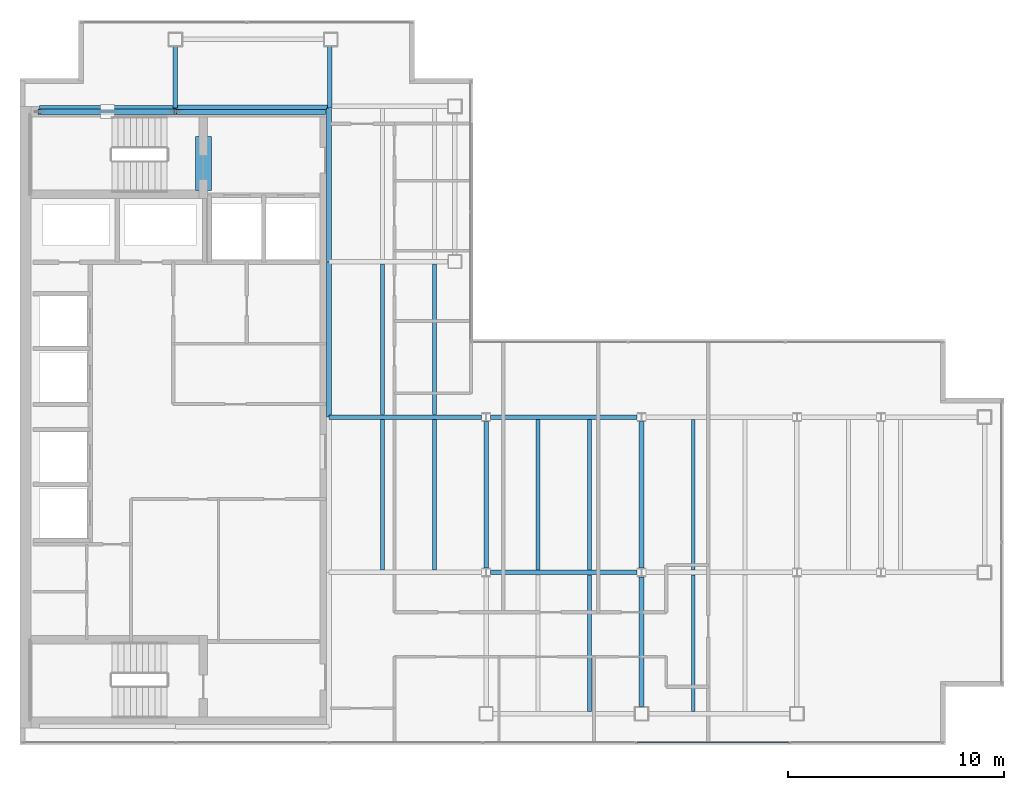
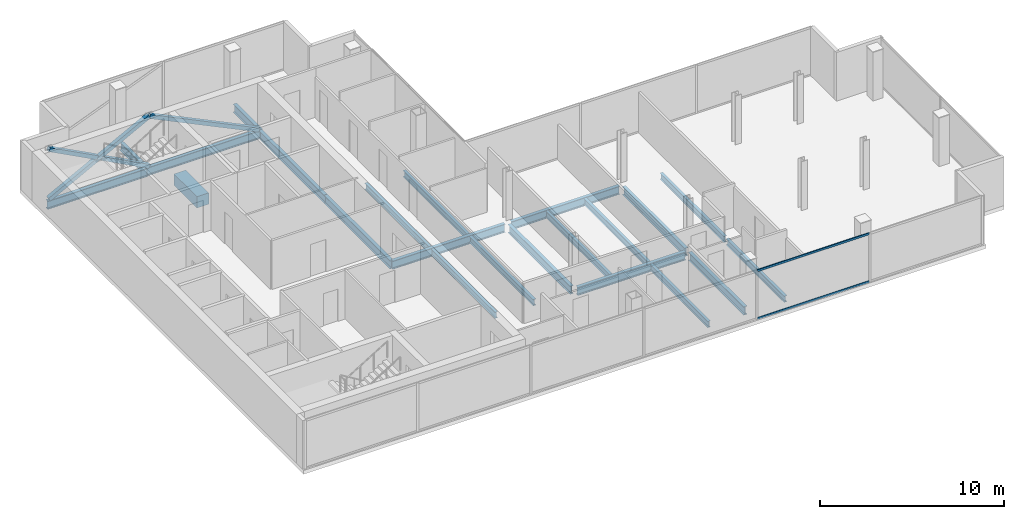
# One storey, part 7 of 24: 22 beams, 6 members, 1 element without a shape of its own.
"""IFC4 building model written with IfcOpenShell, lengths in metres."""

from ifc_helpers import new_model, si_unit, direction, frame, origin, origin_2d, place, context, subcontext, project, spatial, rectangle, hollow_rectangle, i_section, extrude, material, material_profile, profile_set, type_object, element, aggregate, save


model = new_model("IFC4")

# Units and contexts
model_context = context("Model", 3, precision=1e-05, world=origin(), true_north=direction((0.0, 1.0)))
body_context = subcontext(model_context, "Body", "Model", "MODEL_VIEW")
ifc_project = project(units=[si_unit("LENGTHUNIT", "METRE"), si_unit("AREAUNIT", "SQUARE_METRE"), si_unit("VOLUMEUNIT", "CUBIC_METRE"), si_unit("PLANEANGLEUNIT", "RADIAN"), si_unit("MASSUNIT", "GRAM", prefix="KILO")], contexts=[model_context])

# Site, building, storey
site_placement = place(None, origin())
site = spatial("IfcSite", under=ifc_project, at=site_placement, CompositionType="ELEMENT")
building_placement = place(site_placement, origin())
building = spatial("IfcBuilding", under=site, at=building_placement, Name="Cobrela Telecom Tower", CompositionType="ELEMENT")
storey_placement = place(building_placement, frame((0.0, 0.0, 290.14990234375)))
storey = spatial("IfcBuildingStorey", under=building, at=storey_placement, Name="L76", CompositionType="ELEMENT", Elevation=290.14990234375)

# Beams
ifc_material_1 = material(Name="Concrete C40/50", Category="concrete")
ifc_material_profile_1 = material_profile(ifc_material_1, rectangle(XDim=0.75, YDim=0.75, at=origin_2d()), Name="RC 750x750")
ifc_profile_set_1 = profile_set([ifc_material_profile_1], Name="Concrete C40/50")
beam_type_1 = type_object("IfcBeamType", Name="BM-COUP-RC", PredefinedType="LINTEL", material=ifc_profile_set_1)
beam_1_placement = place(storey_placement, frame((8.5, 32.10009765625, -0.60986328125), z_axis=(0.0, 1.0, 0.0), x_axis=(-1.0, 0.0, 0.0)))
element("IfcBeam", 1, at=beam_1_placement, inside=storey, type_object=beam_type_1, Name="L76 Core Coupling Lintel Beam", PredefinedType="LINTEL", context=body_context, shape_type="SweptSolid", body=[
    extrude(rectangle(XDim=0.75, YDim=0.75, at=origin_2d()), origin(), (0.0, 0.0, 1.0), 2.5),
])
ifc_material_2 = material(Name="Steel ASTM A992 Grade 50", Category="steel")
ifc_material_profile_2 = material_profile(ifc_material_2, i_section(OverallWidth=0.212890625, OverallDepth=0.549072265625, WebThickness=0.0146484375, FlangeThickness=0.023681640625, FilletRadius=0.013916015625, at=origin_2d()), Name="W21X93")
ifc_profile_set_2 = profile_set([ifc_material_profile_2], Name="Steel ASTM A992 Grade 50")
beam_type_2 = type_object("IfcBeamType", Name="BM-GIRD-08", PredefinedType="USERDEFINED", material=ifc_profile_set_2)
beam_2_placement = place(storey_placement, frame((21.804443359375, 14.39990234375, -0.534423828125), z_axis=(1.0, 0.0, 0.0), x_axis=(0.0, 1.0, 0.0)))
element("IfcBeam", 2, at=beam_2_placement, inside=storey, type_object=beam_type_2, Name="L76 Primary Girder X06", ObjectType="GIRDER", PredefinedType="USERDEFINED", context=body_context, shape_type="SweptSolid", body=[
    extrude(i_section(OverallWidth=0.212890625, OverallDepth=0.549072265625, WebThickness=0.0146484375, FlangeThickness=0.023681640625, FilletRadius=0.013916015625, at=origin_2d()), origin(), (0.0, 0.0, 1.0), 6.791015625),
])
beam_3_placement = place(storey_placement, frame((14.324951171875, 21.60009765625, -0.534423828125), z_axis=(1.0, 0.0, 0.0), x_axis=(0.0, 1.0, 0.0)))
element("IfcBeam", 3, at=beam_3_placement, inside=storey, type_object=beam_type_2, Name="L76 Primary Girder X10", ObjectType="GIRDER", PredefinedType="USERDEFINED", context=body_context, shape_type="SweptSolid", body=[
    extrude(i_section(OverallWidth=0.212890625, OverallDepth=0.549072265625, WebThickness=0.0146484375, FlangeThickness=0.023681640625, FilletRadius=0.013916015625, at=origin_2d()), origin(), (0.0, 0.0, 1.0), 7.070556640625),
])
beam_4_placement = place(storey_placement, frame((21.804443359375, 21.60009765625, -0.534423828125), z_axis=(1.0, 0.0, 0.0), x_axis=(0.0, 1.0, 0.0)))
element("IfcBeam", 4, at=beam_4_placement, inside=storey, type_object=beam_type_2, Name="L76 Primary Girder X11", ObjectType="GIRDER", PredefinedType="USERDEFINED", context=body_context, shape_type="SweptSolid", body=[
    extrude(i_section(OverallWidth=0.212890625, OverallDepth=0.549072265625, WebThickness=0.0146484375, FlangeThickness=0.023681640625, FilletRadius=0.013916015625, at=origin_2d()), origin(), (0.0, 0.0, 1.0), 6.791015625),
])
beam_5_placement = place(storey_placement, frame((0.905029296875, 35.919921875, -0.534423828125), z_axis=(1.0, 0.0, 0.0), x_axis=(0.0, 1.0, 0.0)))
element("IfcBeam", 5, at=beam_5_placement, inside=storey, type_object=beam_type_2, Name="L76 Primary Girder X16", ObjectType="GIRDER", PredefinedType="USERDEFINED", context=body_context, shape_type="SweptSolid", body=[
    extrude(i_section(OverallWidth=0.212890625, OverallDepth=0.549072265625, WebThickness=0.0146484375, FlangeThickness=0.023681640625, FilletRadius=0.013916015625, at=origin_2d()), origin(), (0.0, 0.0, 1.0), 6.2900390625),
])
beam_6_placement = place(storey_placement, frame((7.205078125, 35.9599609375, -0.534423828125), z_axis=(1.0, 0.0, 0.0), x_axis=(0.0, 1.0, 0.0)))
element("IfcBeam", 6, at=beam_6_placement, inside=storey, type_object=beam_type_2, Name="L76 Primary Girder X17", ObjectType="GIRDER", PredefinedType="USERDEFINED", context=body_context, shape_type="SweptSolid", body=[
    extrude(i_section(OverallWidth=0.212890625, OverallDepth=0.549072265625, WebThickness=0.0146484375, FlangeThickness=0.023681640625, FilletRadius=0.013916015625, at=origin_2d()), origin(), (0.0, 0.0, 1.0), 7.10986328125),
])
beam_7_placement = place(storey_placement, frame((7.199951171875, 35.925048828125, -0.534423828125), z_axis=(0.0, 1.0, 0.0), x_axis=(-1.0, 0.0, 0.0)))
element("IfcBeam", 7, at=beam_7_placement, inside=storey, type_object=beam_type_2, Name="L76 Primary Girder Y20", ObjectType="GIRDER", PredefinedType="USERDEFINED", context=body_context, shape_type="SweptSolid", body=[
    extrude(i_section(OverallWidth=0.212890625, OverallDepth=0.549072265625, WebThickness=0.0146484375, FlangeThickness=0.023681640625, FilletRadius=0.013916015625, at=origin_2d()), origin(), (0.0, 0.0, 1.0), 2.844970703125),
])
beam_8_placement = place(storey_placement, frame((14.320068359375, 21.60498046875, -0.534423828125), z_axis=(0.0, 1.0, 0.0), x_axis=(-1.0, 0.0, 0.0)))
element("IfcBeam", 8, at=beam_8_placement, inside=storey, type_object=beam_type_2, Name="L76 Primary Girder Y23", ObjectType="GIRDER", PredefinedType="USERDEFINED", context=body_context, shape_type="SweptSolid", body=[
    extrude(i_section(OverallWidth=0.212890625, OverallDepth=0.549072265625, WebThickness=0.0146484375, FlangeThickness=0.023681640625, FilletRadius=0.013916015625, at=origin_2d()), origin(), (0.0, 0.0, 1.0), 7.18994140625),
])
beam_9_placement = place(storey_placement, frame((14.320068359375, 28.804931640625, -0.534423828125), z_axis=(0.0, 1.0, 0.0), x_axis=(-1.0, 0.0, 0.0)))
element("IfcBeam", 9, at=beam_9_placement, inside=storey, type_object=beam_type_2, Name="L76 Primary Girder Y24", ObjectType="GIRDER", PredefinedType="USERDEFINED", context=body_context, shape_type="SweptSolid", body=[
    extrude(i_section(OverallWidth=0.212890625, OverallDepth=0.549072265625, WebThickness=0.0146484375, FlangeThickness=0.023681640625, FilletRadius=0.013916015625, at=origin_2d()), origin(), (0.0, 0.0, 1.0), 7.110107421875),
])
beam_10_placement = place(storey_placement, frame((14.360107421875, 35.925048828125, -0.534423828125), z_axis=(0.0, 1.0, 0.0), x_axis=(-1.0, 0.0, 0.0)))
element("IfcBeam", 10, at=beam_10_placement, inside=storey, type_object=beam_type_2, Name="L76 Primary Girder Y25", ObjectType="GIRDER", PredefinedType="USERDEFINED", context=body_context, shape_type="SweptSolid", body=[
    extrude(i_section(OverallWidth=0.212890625, OverallDepth=0.549072265625, WebThickness=0.0146484375, FlangeThickness=0.023681640625, FilletRadius=0.013916015625, at=origin_2d()), origin(), (0.0, 0.0, 1.0), 2.844970703125),
])
beam_11_placement = place(storey_placement, frame((21.60009765625, 14.6044921875, -0.534423828125), z_axis=(0.0, 1.0, 0.0), x_axis=(-1.0, 0.0, 0.0)))
element("IfcBeam", 11, at=beam_11_placement, inside=storey, type_object=beam_type_2, Name="L76 Primary Girder Y28", ObjectType="GIRDER", PredefinedType="USERDEFINED", context=body_context, shape_type="SweptSolid", body=[
    extrude(i_section(OverallWidth=0.212890625, OverallDepth=0.549072265625, WebThickness=0.0146484375, FlangeThickness=0.023681640625, FilletRadius=0.013916015625, at=origin_2d()), origin(), (0.0, 0.0, 1.0), 6.791015625),
])
beam_12_placement = place(storey_placement, frame((28.800048828125, 8.179931640625, -0.534423828125), z_axis=(0.0, 1.0, 0.0), x_axis=(-1.0, 0.0, 0.0)))
element("IfcBeam", 12, at=beam_12_placement, inside=storey, type_object=beam_type_2, Name="L76 Primary Girder Y29", ObjectType="GIRDER", PredefinedType="USERDEFINED", context=body_context, shape_type="SweptSolid", body=[
    extrude(i_section(OverallWidth=0.212890625, OverallDepth=0.549072265625, WebThickness=0.0146484375, FlangeThickness=0.023681640625, FilletRadius=0.013916015625, at=origin_2d()), origin(), (0.0, 0.0, 1.0), 6.015625),
])
beam_13_placement = place(storey_placement, frame((28.800048828125, 14.6044921875, -0.534423828125), z_axis=(0.0, 1.0, 0.0), x_axis=(-1.0, 0.0, 0.0)))
element("IfcBeam", 13, at=beam_13_placement, inside=storey, type_object=beam_type_2, Name="L76 Primary Girder Y30", ObjectType="GIRDER", PredefinedType="USERDEFINED", context=body_context, shape_type="SweptSolid", body=[
    extrude(i_section(OverallWidth=0.212890625, OverallDepth=0.549072265625, WebThickness=0.0146484375, FlangeThickness=0.023681640625, FilletRadius=0.013916015625, at=origin_2d()), origin(), (0.0, 0.0, 1.0), 6.791015625),
])
ifc_material_profile_3 = material_profile(ifc_material_2, i_section(OverallWidth=0.179931640625, OverallDepth=0.4169921875, WebThickness=0.010986328125, FlangeThickness=0.01806640625, FilletRadius=0.011962890625, at=origin_2d()), Name="W16X57")
ifc_profile_set_3 = profile_set([ifc_material_profile_3], Name="Steel ASTM A992 Grade 50")
beam_type_3 = type_object("IfcBeamType", Name="BM-JOIST-04", PredefinedType="JOIST", material=ifc_profile_set_3)
for number, where, z_axis, x_axis, name in (
    (14, (16.800048828125, 14.511474609375, -0.468505859375), (0.0, 1.0, 0.0), (-1.0, 0.0, 0.0), "L76 Secondary Composite Floor Beam J01"),
    (15, (16.800048828125, 21.71142578125, -0.468505859375), (0.0, 1.0, 0.0), (-1.0, 0.0, 0.0), "L76 Secondary Composite Floor Beam J02"),
    (16, (19.199951171875, 14.511474609375, -0.468505859375), (0.0, 1.0, 0.0), (-1.0, 0.0, 0.0), "L76 Secondary Composite Floor Beam J04"),
    (17, (19.199951171875, 21.71142578125, -0.468505859375), (0.0, 1.0, 0.0), (-1.0, 0.0, 0.0), "L76 Secondary Composite Floor Beam J05"),
    (18, (24.0, 14.511474609375, -0.468505859375), (0.0, 1.0, 0.0), (-1.0, 0.0, 0.0), "L76 Secondary Composite Floor Beam J08"),
):
    element("IfcBeam", number, at=place(storey_placement, frame(where, z_axis=z_axis, x_axis=x_axis)), inside=storey, type_object=beam_type_3, Name=name, PredefinedType="JOIST", context=body_context, shape_type="SweptSolid", body=[
        extrude(i_section(OverallWidth=0.179931640625, OverallDepth=0.4169921875, WebThickness=0.010986328125, FlangeThickness=0.01806640625, FilletRadius=0.011962890625, at=origin_2d()), origin(), (0.0, 0.0, 1.0), 6.97705078125),
    ])
beam_14_placement = place(storey_placement, frame((26.39990234375, 7.96142578125, -0.468505859375), z_axis=(0.0, 1.0, 0.0), x_axis=(-1.0, 0.0, 0.0)))
element("IfcBeam", 19, at=beam_14_placement, inside=storey, type_object=beam_type_3, Name="L76 Secondary Composite Floor Beam J09", PredefinedType="JOIST", context=body_context, shape_type="SweptSolid", body=[
    extrude(i_section(OverallWidth=0.179931640625, OverallDepth=0.4169921875, WebThickness=0.010986328125, FlangeThickness=0.01806640625, FilletRadius=0.011962890625, at=origin_2d()), origin(), (0.0, 0.0, 1.0), 6.3271484375),
])
beam_15_placement = place(storey_placement, frame((26.39990234375, 14.511474609375, -0.468505859375), z_axis=(0.0, 1.0, 0.0), x_axis=(-1.0, 0.0, 0.0)))
element("IfcBeam", 20, at=beam_15_placement, inside=storey, type_object=beam_type_3, Name="L76 Secondary Composite Floor Beam J10", PredefinedType="JOIST", context=body_context, shape_type="SweptSolid", body=[
    extrude(i_section(OverallWidth=0.179931640625, OverallDepth=0.4169921875, WebThickness=0.010986328125, FlangeThickness=0.01806640625, FilletRadius=0.011962890625, at=origin_2d()), origin(), (0.0, 0.0, 1.0), 6.97705078125),
])
beam_16_placement = place(storey_placement, frame((31.199951171875, 7.96142578125, -0.468505859375), z_axis=(0.0, 1.0, 0.0), x_axis=(-1.0, 0.0, 0.0)))
element("IfcBeam", 21, at=beam_16_placement, inside=storey, type_object=beam_type_3, Name="L76 Secondary Composite Floor Beam J11", PredefinedType="JOIST", context=body_context, shape_type="SweptSolid", body=[
    extrude(i_section(OverallWidth=0.179931640625, OverallDepth=0.4169921875, WebThickness=0.010986328125, FlangeThickness=0.01806640625, FilletRadius=0.011962890625, at=origin_2d()), origin(), (0.0, 0.0, 1.0), 6.3271484375),
])
beam_17_placement = place(storey_placement, frame((31.199951171875, 14.511474609375, -0.468505859375), z_axis=(0.0, 1.0, 0.0), x_axis=(-1.0, 0.0, 0.0)))
element("IfcBeam", 22, at=beam_17_placement, inside=storey, type_object=beam_type_3, Name="L76 Secondary Composite Floor Beam J12", PredefinedType="JOIST", context=body_context, shape_type="SweptSolid", body=[
    extrude(i_section(OverallWidth=0.179931640625, OverallDepth=0.4169921875, WebThickness=0.010986328125, FlangeThickness=0.01806640625, FilletRadius=0.011962890625, at=origin_2d()), origin(), (0.0, 0.0, 1.0), 6.97705078125),
])

# Curtain wall, members
ifc_material_3 = material(Name="Anodized Bronze Aluminium 6063-T6", Category="aluminium")
curtain_wall_type = type_object("IfcCurtainWallType", Name="CW-SYS-OFF-HI", PredefinedType="USERDEFINED", material=ifc_material_3)
curtain_wall_placement = place(storey_placement, origin())
curtain_wall = element("IfcCurtainWall", 23, at=curtain_wall_placement, inside=storey, type_object=curtain_wall_type, Name="L76 Unitised Bronze Curtain Wall 15", ObjectType="UNITISED CURTAIN WALL", PredefinedType="USERDEFINED")
ifc_material_profile_4 = material_profile(ifc_material_3, hollow_rectangle(XDim=0.06494140625, YDim=0.1298828125, WallThickness=0.00390625, at=origin_2d()), Name="ALU 65x130x4")
ifc_profile_set_4 = profile_set([ifc_material_profile_4], Name="Anodized Bronze Aluminium 6063-T6")
member_type_1 = type_object("IfcMemberType", Name="CW-SYS-OFF-HI-TRN", PredefinedType="USERDEFINED", material=ifc_profile_set_4)
member_1_placement = place(storey_placement, frame((35.626708984375, 6.52001953125, 0.03271484375), z_axis=(-1.0, 0.0, 0.0), x_axis=(0.0, -1.0, 0.0)))
member_1 = element("IfcMember", 24, at=member_1_placement, type_object=member_type_1, Name="CW-OFF-HI transom 2.1", ObjectType="TRANSOM", PredefinedType="USERDEFINED", context=body_context, shape_type="SweptSolid", body=[
    extrude(hollow_rectangle(XDim=0.06494140625, YDim=0.1298828125, WallThickness=0.00390625, at=origin_2d()), origin(), (0.0, 0.0, 1.0), 7.038330078125),
])
member_2_placement = place(storey_placement, frame((35.626708984375, 6.52001953125, 3.20751953125), z_axis=(-1.0, 0.0, 0.0), x_axis=(0.0, -1.0, 0.0)))
member_2 = element("IfcMember", 25, at=member_2_placement, type_object=member_type_1, Name="CW-OFF-HI transom 2.2", ObjectType="TRANSOM", PredefinedType="USERDEFINED", context=body_context, shape_type="SweptSolid", body=[
    extrude(hollow_rectangle(XDim=0.06494140625, YDim=0.1298828125, WallThickness=0.00390625, at=origin_2d()), origin(), (0.0, 0.0, 1.0), 7.038330078125),
])
aggregate(curtain_wall, [member_1, member_2])

# Members
ifc_material_4 = material(Name="Steel ASTM A572 Grade 50", Category="steel")
ifc_material_profile_5 = material_profile(ifc_material_4, hollow_rectangle(XDim=0.25, YDim=0.25, WallThickness=0.013916015625, at=origin_2d()), Name="HSS 250x250x14")
ifc_profile_set_5 = profile_set([ifc_material_profile_5], Name="Steel ASTM A572 Grade 50")
member_type_2 = type_object("IfcMemberType", Name="MBR-EXO-04", PredefinedType="BRACE", material=ifc_profile_set_5)
member_3_placement = place(storey_placement, frame((0.89990234375, 35.75, -0.039794921875), z_axis=(0.884686085315, 0.0, 0.466187226821), x_axis=(0.0, 1.0, 0.0)))
element("IfcMember", 26, at=member_3_placement, inside=storey, type_object=member_type_2, Name="L76 Core Flange Steel X-Brace Continuous A", PredefinedType="BRACE", context=body_context, shape_type="SweptSolid", body=[
    extrude(hollow_rectangle(XDim=0.25, YDim=0.25, WallThickness=0.013916015625, at=origin_2d()), origin(), (0.0, 0.0, 1.0), 7.121337890625),
])
member_4_placement = place(storey_placement, frame((7.199951171875, 35.75, -0.039794921875), z_axis=(-0.884702916743, 0.0, 0.466155284328), x_axis=(0.0, -1.0, 0.0)))
element("IfcMember", 27, at=member_4_placement, inside=storey, type_object=member_type_2, Name="L76 Core Flange Steel X-Brace Split B1", PredefinedType="BRACE", context=body_context, shape_type="SweptSolid", body=[
    extrude(hollow_rectangle(XDim=0.25, YDim=0.25, WallThickness=0.013916015625, at=origin_2d()), origin(), (0.0, 0.0, 1.0), 3.42041015625),
])
member_5_placement = place(storey_placement, frame((3.926025390625, 35.75, 1.685302734375), z_axis=(-0.884673479945, 0.0, 0.466211147317), x_axis=(0.0, -1.0, 0.0)))
element("IfcMember", 28, at=member_5_placement, inside=storey, type_object=member_type_2, Name="L76 Core Flange Steel X-Brace Split B2", PredefinedType="BRACE", context=body_context, shape_type="SweptSolid", body=[
    extrude(hollow_rectangle(XDim=0.25, YDim=0.25, WallThickness=0.013916015625, at=origin_2d()), origin(), (0.0, 0.0, 1.0), 3.420654296875),
])
member_6_placement = place(storey_placement, frame((14.10009765625, 35.75, -0.039794921875), z_axis=(-0.901127639633, 0.0, 0.433553891793), x_axis=(0.0, -1.0, 0.0)))
element("IfcMember", 29, at=member_6_placement, inside=storey, type_object=member_type_2, Name="L76 Core Flange Steel Brace N2", PredefinedType="BRACE", context=body_context, shape_type="SweptSolid", body=[
    extrude(hollow_rectangle(XDim=0.25, YDim=0.25, WallThickness=0.013916015625, at=origin_2d()), origin(), (0.0, 0.0, 1.0), 7.6572265625),
])

save(model, "model.ifc")
